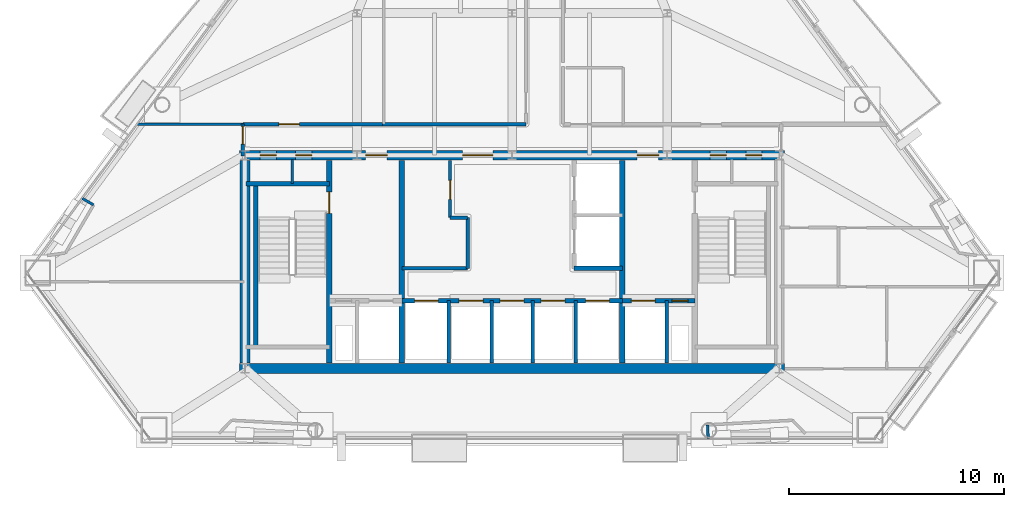
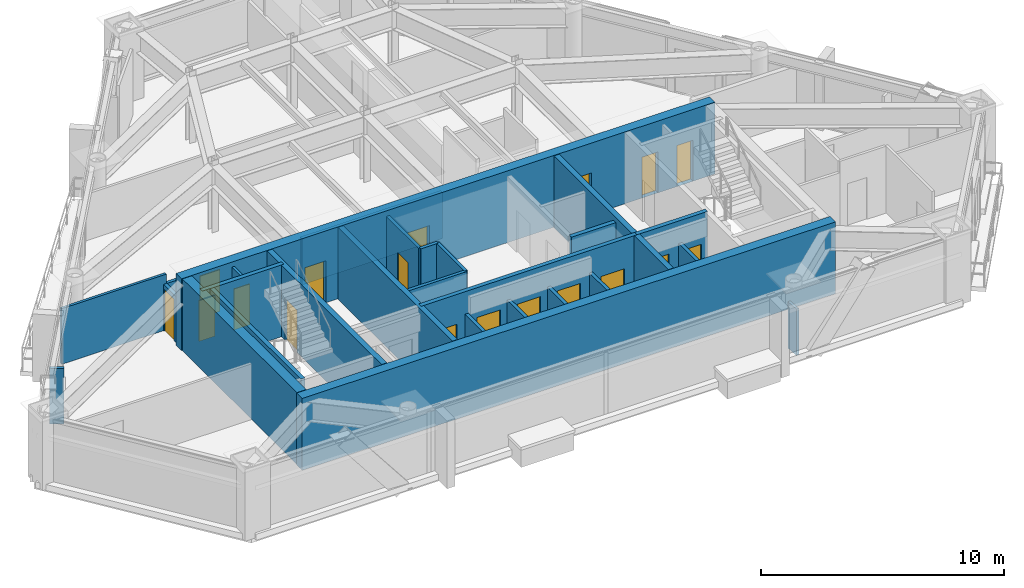
# One storey, part 7 of 11: 27 walls, 18 doors, 18 openings.
"""IFC4 building model written with IfcOpenShell, lengths in metres."""

from ifc_helpers import new_model, si_unit, direction, frame, frame_2d, origin, place, context, subcontext, project, spatial, rectangle, extrude, material, layer, layer_set, type_object, element, fill, save


model = new_model("IFC4")

# Units and contexts
model_context = context("Model", 3, precision=1e-05, world=origin(), true_north=direction((0.0, 1.0)))
body_context = subcontext(model_context, "Body", "Model", "MODEL_VIEW")
ifc_project = project(units=[si_unit("LENGTHUNIT", "METRE"), si_unit("AREAUNIT", "SQUARE_METRE"), si_unit("VOLUMEUNIT", "CUBIC_METRE"), si_unit("PLANEANGLEUNIT", "RADIAN"), si_unit("MASSUNIT", "GRAM", prefix="KILO")], contexts=[model_context])

# Site, building, storey
site_placement = place(None, origin())
site = spatial("IfcSite", under=ifc_project, at=site_placement, CompositionType="ELEMENT")
building_placement = place(site_placement, origin())
building = spatial("IfcBuilding", under=site, at=building_placement, Name="Talgorran Terracotta Tower", CompositionType="ELEMENT")
storey_placement = place(building_placement, frame((0.0, 0.0, 125.699951171875)))
storey = spatial("IfcBuildingStorey", under=building, at=storey_placement, Name="L32", CompositionType="ELEMENT", Elevation=125.699951171875)

# Walls
ifc_material_1 = material(Name="Concrete C50/60", Category="concrete")
ifc_layer_1 = layer(ifc_material_1, 0.199951171875, Name="WT_CORE_200")
ifc_layer_set_1 = layer_set([ifc_layer_1], Name="Concrete C50/60")
wall_type_1 = type_object("IfcWallType", Name="WT_CORE_200", PredefinedType="SOLIDWALL", material=ifc_layer_set_1)
wall_1_placement = place(storey_placement, frame((-12.35009765625, -5.52001953125, 0.0), z_axis=(0.0, 0.0, 1.0), x_axis=(1.0, 0.0, 0.0)))
element("IfcWall", 1, at=wall_1_placement, inside=storey, type_object=wall_type_1, Name="WL-L32-CW-ST1-N", PredefinedType="SOLIDWALL", context=body_context, shape_type="SweptSolid", body=[
    extrude(rectangle(XDim=3.8701171875, YDim=0.199951171875, at=frame_2d((1.93505859375, 0.0))), origin(), (0.0, 0.0, 1.0), 3.60009765625),
])
wall_2_placement = place(storey_placement, frame((-11.89990234375, -13.10009765625, 0.0), z_axis=(0.0, 0.0, 1.0), x_axis=(0.0, 1.0, 0.0)))
element("IfcWall", 2, at=wall_2_placement, inside=storey, type_object=wall_type_1, Name="WL-L32-CW-ST1-W", PredefinedType="SOLIDWALL", context=body_context, shape_type="SweptSolid", body=[
    extrude(rectangle(XDim=7.580078125, YDim=0.199951171875, at=frame_2d((3.7900390625, 0.0))), origin(), (0.0, 0.0, 1.0), 3.60009765625),
])

# Wall, openings, doors
wall_3_placement = place(storey_placement, frame((-5.1201171875, -10.949951171875, 0.0), z_axis=(0.0, 0.0, 1.0), x_axis=(1.0, 0.0, 0.0)))
wall_3 = element("IfcWall", 3, at=wall_3_placement, inside=storey, type_object=wall_type_1, Name="WL-L32-CW-H-SBC", PredefinedType="SOLIDWALL", context=body_context, shape_type="SweptSolid", body=[
    extrude(rectangle(XDim=10.240234375, YDim=0.199951171875, at=frame_2d((5.1201171875, 0.0))), origin(), (0.0, 0.0, 1.0), 3.60009765625),
])
opening_1_placement = place(wall_3_placement, frame((0.60009765625, 0.0, 0.0)))
opening_1 = element("IfcOpeningElement", 4, at=opening_1_placement, cuts=wall_3, Name="Opening LD-OB1", PredefinedType="OPENING", context=body_context, shape_type="SweptSolid", body=[
    extrude(rectangle(XDim=1.10609765625, YDim=2.10409765625, at=frame_2d((0.550048828125, 1.052001953125))), frame((0.0, 0.10986328125, 0.0), z_axis=(0.0, -1.0, 0.0), x_axis=(1.0, 0.0, 0.0)), (0.0, 0.0, 1.0), 0.219970703125),
])
opening_2_placement = place(wall_3_placement, frame((2.669921875, 0.0, 0.0)))
opening_2 = element("IfcOpeningElement", 5, at=opening_2_placement, cuts=wall_3, Name="Opening LD-PLH1", PredefinedType="OPENING", context=body_context, shape_type="SweptSolid", body=[
    extrude(rectangle(XDim=1.10609765625, YDim=2.10409765625, at=frame_2d((0.550048828125, 1.052001953125))), frame((0.0, 0.10986328125, 0.0), z_axis=(0.0, -1.0, 0.0), x_axis=(1.0, 0.0, 0.0)), (0.0, 0.0, 1.0), 0.219970703125),
])
opening_3_placement = place(wall_3_placement, frame((4.570068359375, 0.0, 0.0)))
opening_3 = element("IfcOpeningElement", 6, at=opening_3_placement, cuts=wall_3, Name="Opening LD-PLH2", PredefinedType="OPENING", context=body_context, shape_type="SweptSolid", body=[
    extrude(rectangle(XDim=1.10609765625, YDim=2.10409765625, at=frame_2d((0.550048828125, 1.052001953125))), frame((0.0, 0.10986328125, 0.0), z_axis=(0.0, -1.0, 0.0), x_axis=(1.0, 0.0, 0.0)), (0.0, 0.0, 1.0), 0.219970703125),
])
opening_4_placement = place(wall_3_placement, frame((6.469970703125, 0.0, 0.0)))
opening_4 = element("IfcOpeningElement", 7, at=opening_4_placement, cuts=wall_3, Name="Opening LD-PLH3", PredefinedType="OPENING", context=body_context, shape_type="SweptSolid", body=[
    extrude(rectangle(XDim=1.10609765625, YDim=2.10409765625, at=frame_2d((0.550048828125, 1.052001953125))), frame((0.0, 0.10986328125, 0.0), z_axis=(0.0, -1.0, 0.0), x_axis=(1.0, 0.0, 0.0)), (0.0, 0.0, 1.0), 0.219970703125),
])
opening_5_placement = place(wall_3_placement, frame((8.5400390625, 0.0, 0.0)))
opening_5 = element("IfcOpeningElement", 8, at=opening_5_placement, cuts=wall_3, Name="Opening LD-SVL1", PredefinedType="OPENING", context=body_context, shape_type="SweptSolid", body=[
    extrude(rectangle(XDim=1.10609765625, YDim=2.10409765625, at=frame_2d((0.550048828125, 1.052001953125))), frame((0.0, 0.10986328125, 0.0), z_axis=(0.0, -1.0, 0.0), x_axis=(1.0, 0.0, 0.0)), (0.0, 0.0, 1.0), 0.219970703125),
])
ifc_material_2 = material(Name="Brushed Stainless Steel Grade 304", Category="steel")
door_type_1 = type_object("IfcDoorType", Name="DT_LIFT_LD1100", OperationType="DOUBLE_DOOR_SLIDING", PredefinedType="DOOR", material=ifc_material_2)
door_1_placement = place(opening_1_placement, origin())
door_1 = element("IfcDoor", 9, at=door_1_placement, inside=storey, type_object=door_type_1, Name="L32 Lift Landing Door LD-OB1", OperationType="DOUBLE_DOOR_SLIDING", OverallHeight=2.10009765625, OverallWidth=1.10009765625, PredefinedType="DOOR", context=body_context, shape_type="SweptSolid", body=[
    extrude(rectangle(XDim=1.10009765625, YDim=2.10009765625, at=frame_2d((0.550048828125, 1.050048828125))), frame((0.0, 0.02490234375, 0.0), z_axis=(0.0, -1.0, 0.0), x_axis=(1.0, 0.0, 0.0)), (0.0, 0.0, 1.0), 0.050048828125),
])
fill(opening_1, door_1)
door_2_placement = place(opening_2_placement, origin())
door_2 = element("IfcDoor", 10, at=door_2_placement, inside=storey, type_object=door_type_1, Name="L32 Lift Landing Door LD-PLH1", OperationType="DOUBLE_DOOR_SLIDING", OverallHeight=2.10009765625, OverallWidth=1.10009765625, PredefinedType="DOOR", context=body_context, shape_type="SweptSolid", body=[
    extrude(rectangle(XDim=1.10009765625, YDim=2.10009765625, at=frame_2d((0.550048828125, 1.050048828125))), frame((0.0, 0.02490234375, 0.0), z_axis=(0.0, -1.0, 0.0), x_axis=(1.0, 0.0, 0.0)), (0.0, 0.0, 1.0), 0.050048828125),
])
fill(opening_2, door_2)
door_3_placement = place(opening_3_placement, origin())
door_3 = element("IfcDoor", 11, at=door_3_placement, inside=storey, type_object=door_type_1, Name="L32 Lift Landing Door LD-PLH2", OperationType="DOUBLE_DOOR_SLIDING", OverallHeight=2.10009765625, OverallWidth=1.10009765625, PredefinedType="DOOR", context=body_context, shape_type="SweptSolid", body=[
    extrude(rectangle(XDim=1.10009765625, YDim=2.10009765625, at=frame_2d((0.550048828125, 1.050048828125))), frame((0.0, 0.02490234375, 0.0), z_axis=(0.0, -1.0, 0.0), x_axis=(1.0, 0.0, 0.0)), (0.0, 0.0, 1.0), 0.050048828125),
])
fill(opening_3, door_3)
door_4_placement = place(opening_4_placement, origin())
door_4 = element("IfcDoor", 12, at=door_4_placement, inside=storey, type_object=door_type_1, Name="L32 Lift Landing Door LD-PLH3", OperationType="DOUBLE_DOOR_SLIDING", OverallHeight=2.10009765625, OverallWidth=1.10009765625, PredefinedType="DOOR", context=body_context, shape_type="SweptSolid", body=[
    extrude(rectangle(XDim=1.10009765625, YDim=2.10009765625, at=frame_2d((0.550048828125, 1.050048828125))), frame((0.0, 0.02490234375, 0.0), z_axis=(0.0, -1.0, 0.0), x_axis=(1.0, 0.0, 0.0)), (0.0, 0.0, 1.0), 0.050048828125),
])
fill(opening_4, door_4)
door_5_placement = place(opening_5_placement, origin())
door_5 = element("IfcDoor", 13, at=door_5_placement, inside=storey, type_object=door_type_1, Name="L32 Lift Landing Door LD-SVL1", OperationType="DOUBLE_DOOR_SLIDING", OverallHeight=2.10009765625, OverallWidth=1.10009765625, PredefinedType="DOOR", context=body_context, shape_type="SweptSolid", body=[
    extrude(rectangle(XDim=1.10009765625, YDim=2.10009765625, at=frame_2d((0.550048828125, 1.050048828125))), frame((0.0, 0.02490234375, 0.0), z_axis=(0.0, -1.0, 0.0), x_axis=(1.0, 0.0, 0.0)), (0.0, 0.0, 1.0), 0.050048828125),
])
fill(opening_5, door_5)

wall_4_placement = place(storey_placement, frame((5.1201171875, -10.949951171875, 0.0), z_axis=(0.0, 0.0, 1.0), x_axis=(1.0, 0.0, 0.0)))
wall_4 = element("IfcWall", 14, at=wall_4_placement, inside=storey, type_object=wall_type_1, Name="WL-L32-CW-H-SBE", PredefinedType="SOLIDWALL", context=body_context, shape_type="SweptSolid", body=[
    extrude(rectangle(XDim=3.35986328125, YDim=0.199951171875, at=frame_2d((1.679931640625, 0.0))), origin(), (0.0, 0.0, 1.0), 3.60009765625),
])
opening_6_placement = place(wall_4_placement, frame((0.419921875, 0.0, 0.0)))
opening_6 = element("IfcOpeningElement", 15, at=opening_6_placement, cuts=wall_4, Name="Opening LD-FFL2", PredefinedType="OPENING", context=body_context, shape_type="SweptSolid", body=[
    extrude(rectangle(XDim=1.10609765625, YDim=2.10409765625, at=frame_2d((0.550048828125, 1.052001953125))), frame((0.0, 0.10986328125, 0.0), z_axis=(0.0, -1.0, 0.0), x_axis=(1.0, 0.0, 0.0)), (0.0, 0.0, 1.0), 0.219970703125),
])
opening_7_placement = place(wall_4_placement, frame((2.300048828125, 0.0, 0.0)))
opening_7 = element("IfcOpeningElement", 16, at=opening_7_placement, cuts=wall_4, Name="Opening DR-RSE", PredefinedType="OPENING", context=body_context, shape_type="SweptSolid", body=[
    extrude(rectangle(XDim=0.756, YDim=2.054048828125, at=frame_2d((0.375, 1.027099609375))), frame((0.0, 0.10986328125, 0.0), z_axis=(0.0, -1.0, 0.0), x_axis=(1.0, 0.0, 0.0)), (0.0, 0.0, 1.0), 0.219970703125),
])
door_6_placement = place(opening_6_placement, origin())
door_6 = element("IfcDoor", 17, at=door_6_placement, inside=storey, type_object=door_type_1, Name="L32 Lift Landing Door LD-FFL2", OperationType="DOUBLE_DOOR_SLIDING", OverallHeight=2.10009765625, OverallWidth=1.10009765625, PredefinedType="DOOR", context=body_context, shape_type="SweptSolid", body=[
    extrude(rectangle(XDim=1.10009765625, YDim=2.10009765625, at=frame_2d((0.550048828125, 1.050048828125))), frame((0.0, 0.02490234375, 0.0), z_axis=(0.0, -1.0, 0.0), x_axis=(1.0, 0.0, 0.0)), (0.0, 0.0, 1.0), 0.050048828125),
])
fill(opening_6, door_6)
ifc_material_3 = material(Name="Fire-Rated Pressed Steel", Category="steel")
door_type_2 = type_object("IfcDoorType", Name="DT_RISER_750", OperationType="NOTDEFINED", PredefinedType="DOOR", material=ifc_material_3)
door_7_placement = place(opening_7_placement, origin())
door_7 = element("IfcDoor", 18, at=door_7_placement, inside=storey, type_object=door_type_2, Name="DR-RSE", OperationType="SINGLE_SWING_RIGHT", OverallHeight=2.050048828125, OverallWidth=0.75, PredefinedType="DOOR", context=body_context, shape_type="SweptSolid", body=[
    extrude(rectangle(XDim=0.75, YDim=2.050048828125, at=frame_2d((0.375, 1.02490234375))), frame((0.0, 0.02490234375, 0.0), z_axis=(0.0, -1.0, 0.0), x_axis=(1.0, 0.0, 0.0)), (0.0, 0.0, 1.0), 0.050048828125),
])
fill(opening_7, door_7)

# Wall
wall_5_placement = place(storey_placement, frame((2.8798828125, -9.449951171875, 0.0), z_axis=(0.0, 0.0, 1.0), x_axis=(1.0, 0.0, 0.0)))
element("IfcWall", 19, at=wall_5_placement, inside=storey, type_object=wall_type_1, Name="WL-L32-CW-H-E4", PredefinedType="SOLIDWALL", context=body_context, shape_type="SweptSolid", body=[
    extrude(rectangle(XDim=2.240234375, YDim=0.199951171875, at=frame_2d((1.1201171875, 0.0))), origin(), (0.0, 0.0, 1.0), 3.35009765625),
])

# Wall, opening, door
ifc_layer_2 = layer(ifc_material_1, 0.25, Name="WT_CORE_250")
ifc_layer_set_2 = layer_set([ifc_layer_2], Name="Concrete C50/60")
wall_type_2 = type_object("IfcWallType", Name="WT_CORE_250", PredefinedType="SHEAR", material=ifc_layer_set_2)
wall_6_placement = place(storey_placement, frame((-8.47998046875, -13.85009765625, 0.0), z_axis=(0.0, 0.0, 1.0), x_axis=(0.0, 1.0, 0.0)))
wall_6 = element("IfcWall", 20, at=wall_6_placement, inside=storey, type_object=wall_type_2, Name="WL-L32-CW-V-W1", PredefinedType="SHEAR", context=body_context, shape_type="SweptSolid", body=[
    extrude(rectangle(XDim=9.400146484375, YDim=0.25, at=frame_2d((4.7001953125, 0.0))), origin(), (0.0, 0.0, 1.0), 3.60009765625),
])
opening_8_placement = place(wall_6_placement, frame((6.949951171875, 0.0, 0.0)))
opening_8 = element("IfcOpeningElement", 21, at=opening_8_placement, cuts=wall_6, Name="Opening DR-ST01", PredefinedType="OPENING", context=body_context, shape_type="SweptSolid", body=[
    extrude(rectangle(XDim=1.006, YDim=2.10409765625, at=frame_2d((0.5, 1.052001953125))), frame((0.0, 0.135009765625, 0.0), z_axis=(0.0, -1.0, 0.0), x_axis=(1.0, 0.0, 0.0)), (0.0, 0.0, 1.0), 0.27001953125),
])
door_type_3 = type_object("IfcDoorType", Name="DT_FIRE_1000", OperationType="NOTDEFINED", PredefinedType="DOOR", material=ifc_material_3)
door_8_placement = place(opening_8_placement, origin())
door_8 = element("IfcDoor", 22, at=door_8_placement, inside=storey, type_object=door_type_3, Name="DR-ST01", OperationType="SINGLE_SWING_LEFT", OverallHeight=2.10009765625, OverallWidth=1.0, PredefinedType="DOOR", context=body_context, shape_type="SweptSolid", body=[
    extrude(rectangle(XDim=1.0, YDim=2.10009765625, at=frame_2d((0.5, 1.050048828125))), frame((0.0, 0.02490234375, 0.0), z_axis=(0.0, -1.0, 0.0), x_axis=(1.0, 0.0, 0.0)), (0.0, 0.0, 1.0), 0.050048828125),
])
fill(opening_8, door_8)

# Walls
for number, where, z_axis, x_axis, name in (
    (23, (-5.1201171875, -13.85009765625, 0.0), (0.0, 0.0, 1.0), (0.0, 1.0, 0.0), "WL-L32-CW-V-W2"),
    (24, (5.1201171875, -13.85009765625, 0.0), (0.0, 0.0, 1.0), (0.0, 1.0, 0.0), "WL-L32-CW-V-E2"),
):
    element("IfcWall", number, at=place(storey_placement, frame(where, z_axis=z_axis, x_axis=x_axis)), inside=storey, type_object=wall_type_2, Name=name, PredefinedType="SHEAR", context=body_context, shape_type="SweptSolid", body=[
        extrude(rectangle(XDim=9.400146484375, YDim=0.25, at=frame_2d((4.7001953125, 0.0))), origin(), (0.0, 0.0, 1.0), 3.60009765625),
    ])
ifc_material_4 = material(Name="Concrete C65/80", Category="concrete")
ifc_layer_3 = layer(ifc_material_4, 0.449951171875, Name="WT_CORE_EXT")
ifc_layer_set_3 = layer_set([ifc_layer_3], Name="Concrete C65/80")
wall_type_3 = type_object("IfcWallType", Name="WT_CORE_EXT", PredefinedType="SHEAR", material=ifc_layer_set_3)
wall_7_placement = place(storey_placement, frame((-12.64990234375, -14.10009765625, 0.0), z_axis=(0.0, 0.0, 1.0), x_axis=(1.0, 0.0, 0.0)))
element("IfcWall", 25, at=wall_7_placement, inside=storey, type_object=wall_type_3, Name="WL-L32-CW-OUT-S", PredefinedType="SHEAR", context=body_context, shape_type="SweptSolid", body=[
    extrude(rectangle(XDim=25.2998046875, YDim=0.449951171875, at=frame_2d((12.64990234375, 0.0))), origin(), (0.0, 0.0, 1.0), 3.60009765625),
])

# Wall, openings, doors
wall_8_placement = place(storey_placement, frame((-12.64990234375, -4.199951171875, 0.0), z_axis=(0.0, 0.0, 1.0), x_axis=(1.0, 0.0, 0.0)))
wall_8 = element("IfcWall", 26, at=wall_8_placement, inside=storey, type_object=wall_type_3, Name="WL-L32-CW-OUT-N", PredefinedType="SHEAR", context=body_context, shape_type="SweptSolid", body=[
    extrude(rectangle(XDim=25.2998046875, YDim=0.449951171875, at=frame_2d((12.64990234375, 0.0))), origin(), (0.0, 0.0, 1.0), 3.60009765625),
])
opening_9_placement = place(wall_8_placement, frame((0.949951171875, 0.0, 0.0)))
opening_9 = element("IfcOpeningElement", 27, at=opening_9_placement, cuts=wall_8, Name="Opening DR-CSN1", PredefinedType="OPENING", context=body_context, shape_type="SweptSolid", body=[
    extrude(rectangle(XDim=0.756, YDim=2.054048828125, at=frame_2d((0.375, 1.027099609375))), frame((0.0, 0.23486328125, 0.0), z_axis=(0.0, -1.0, 0.0), x_axis=(1.0, 0.0, 0.0)), (0.0, 0.0, 1.0), 0.469970703125),
])
opening_10_placement = place(wall_8_placement, frame((2.60009765625, 0.0, 0.0)))
opening_10 = element("IfcOpeningElement", 28, at=opening_10_placement, cuts=wall_8, Name="Opening DR-CSN2", PredefinedType="OPENING", context=body_context, shape_type="SweptSolid", body=[
    extrude(rectangle(XDim=0.756, YDim=2.054048828125, at=frame_2d((0.375, 1.027099609375))), frame((0.0, 0.23486328125, 0.0), z_axis=(0.0, -1.0, 0.0), x_axis=(1.0, 0.0, 0.0)), (0.0, 0.0, 1.0), 0.469970703125),
])
opening_11_placement = place(wall_8_placement, frame((21.85009765625, 0.0, 0.0)))
opening_11 = element("IfcOpeningElement", 29, at=opening_11_placement, cuts=wall_8, Name="Opening DR-CSN3", PredefinedType="OPENING", context=body_context, shape_type="SweptSolid", body=[
    extrude(rectangle(XDim=0.756, YDim=2.054048828125, at=frame_2d((0.375, 1.027099609375))), frame((0.0, 0.23486328125, 0.0), z_axis=(0.0, -1.0, 0.0), x_axis=(1.0, 0.0, 0.0)), (0.0, 0.0, 1.0), 0.469970703125),
])
opening_12_placement = place(wall_8_placement, frame((23.5, 0.0, 0.0)))
opening_12 = element("IfcOpeningElement", 30, at=opening_12_placement, cuts=wall_8, Name="Opening DR-CSN4", PredefinedType="OPENING", context=body_context, shape_type="SweptSolid", body=[
    extrude(rectangle(XDim=0.756, YDim=2.054048828125, at=frame_2d((0.375, 1.027099609375))), frame((0.0, 0.23486328125, 0.0), z_axis=(0.0, -1.0, 0.0), x_axis=(1.0, 0.0, 0.0)), (0.0, 0.0, 1.0), 0.469970703125),
])
opening_13_placement = place(wall_8_placement, frame((5.85009765625, 0.0, 0.0)))
opening_13 = element("IfcOpeningElement", 31, at=opening_13_placement, cuts=wall_8, Name="Opening DR-FFLW-N", PredefinedType="OPENING", context=body_context, shape_type="SweptSolid", body=[
    extrude(rectangle(XDim=1.006, YDim=2.10409765625, at=frame_2d((0.5, 1.052001953125))), frame((0.0, 0.23486328125, 0.0), z_axis=(0.0, -1.0, 0.0), x_axis=(1.0, 0.0, 0.0)), (0.0, 0.0, 1.0), 0.469970703125),
])
opening_14_placement = place(wall_8_placement, frame((10.35009765625, 0.0, 0.0)))
opening_14 = element("IfcOpeningElement", 32, at=opening_14_placement, cuts=wall_8, Name="Opening DR-PLL-N", PredefinedType="OPENING", context=body_context, shape_type="SweptSolid", body=[
    extrude(rectangle(XDim=1.40590234375, YDim=2.15390234375, at=frame_2d((0.699951171875, 1.076904296875))), frame((0.0, 0.23486328125, 0.0), z_axis=(0.0, -1.0, 0.0), x_axis=(1.0, 0.0, 0.0)), (0.0, 0.0, 1.0), 0.469970703125),
])
opening_15_placement = place(wall_8_placement, frame((18.449951171875, 0.0, 0.0)))
opening_15 = element("IfcOpeningElement", 33, at=opening_15_placement, cuts=wall_8, Name="Opening DR-FFLE-N", PredefinedType="OPENING", context=body_context, shape_type="SweptSolid", body=[
    extrude(rectangle(XDim=1.006, YDim=2.10409765625, at=frame_2d((0.5, 1.052001953125))), frame((0.0, 0.23486328125, 0.0), z_axis=(0.0, -1.0, 0.0), x_axis=(1.0, 0.0, 0.0)), (0.0, 0.0, 1.0), 0.469970703125),
])
ifc_material_5 = material(Name="Acoustic Glazed Timber", Category="wood")
door_type_4 = type_object("IfcDoorType", Name="DT_DOUBLE_1400", OperationType="DOUBLE_DOOR_SINGLE_SWING", PredefinedType="DOOR", material=ifc_material_5)
door_9_placement = place(opening_14_placement, origin())
door_9 = element("IfcDoor", 34, at=door_9_placement, inside=storey, type_object=door_type_4, Name="DR-PLL-N", OperationType="DOUBLE_DOOR_SINGLE_SWING", OverallHeight=2.14990234375, OverallWidth=1.39990234375, PredefinedType="DOOR", context=body_context, shape_type="SweptSolid", body=[
    extrude(rectangle(XDim=1.39990234375, YDim=2.14990234375, at=frame_2d((0.699951171875, 1.074951171875))), frame((0.0, 0.02490234375, 0.0), z_axis=(0.0, -1.0, 0.0), x_axis=(1.0, 0.0, 0.0)), (0.0, 0.0, 1.0), 0.050048828125),
])
fill(opening_14, door_9)
door_10_placement = place(opening_13_placement, origin())
door_10 = element("IfcDoor", 35, at=door_10_placement, inside=storey, type_object=door_type_3, Name="DR-FFLW-N", OperationType="SINGLE_SWING_LEFT", OverallHeight=2.10009765625, OverallWidth=1.0, PredefinedType="DOOR", context=body_context, shape_type="SweptSolid", body=[
    extrude(rectangle(XDim=1.0, YDim=2.10009765625, at=frame_2d((0.5, 1.050048828125))), frame((0.0, 0.02490234375, 0.0), z_axis=(0.0, -1.0, 0.0), x_axis=(1.0, 0.0, 0.0)), (0.0, 0.0, 1.0), 0.050048828125),
])
fill(opening_13, door_10)
door_11_placement = place(opening_15_placement, origin())
door_11 = element("IfcDoor", 36, at=door_11_placement, inside=storey, type_object=door_type_3, Name="DR-FFLE-N", OperationType="SINGLE_SWING_RIGHT", OverallHeight=2.10009765625, OverallWidth=1.0, PredefinedType="DOOR", context=body_context, shape_type="SweptSolid", body=[
    extrude(rectangle(XDim=1.0, YDim=2.10009765625, at=frame_2d((0.5, 1.050048828125))), frame((0.0, 0.02490234375, 0.0), z_axis=(0.0, -1.0, 0.0), x_axis=(1.0, 0.0, 0.0)), (0.0, 0.0, 1.0), 0.050048828125),
])
fill(opening_15, door_11)
door_12_placement = place(opening_9_placement, origin())
door_12 = element("IfcDoor", 37, at=door_12_placement, inside=storey, type_object=door_type_2, Name="DR-CSN1", OperationType="SINGLE_SWING_LEFT", OverallHeight=2.050048828125, OverallWidth=0.75, PredefinedType="DOOR", context=body_context, shape_type="SweptSolid", body=[
    extrude(rectangle(XDim=0.75, YDim=2.050048828125, at=frame_2d((0.375, 1.02490234375))), frame((0.0, 0.02490234375, 0.0), z_axis=(0.0, -1.0, 0.0), x_axis=(1.0, 0.0, 0.0)), (0.0, 0.0, 1.0), 0.050048828125),
])
fill(opening_9, door_12)
door_13_placement = place(opening_10_placement, origin())
door_13 = element("IfcDoor", 38, at=door_13_placement, inside=storey, type_object=door_type_2, Name="DR-CSN2", OperationType="SINGLE_SWING_RIGHT", OverallHeight=2.050048828125, OverallWidth=0.75, PredefinedType="DOOR", context=body_context, shape_type="SweptSolid", body=[
    extrude(rectangle(XDim=0.75, YDim=2.050048828125, at=frame_2d((0.375, 1.02490234375))), frame((0.0, 0.02490234375, 0.0), z_axis=(0.0, -1.0, 0.0), x_axis=(1.0, 0.0, 0.0)), (0.0, 0.0, 1.0), 0.050048828125),
])
fill(opening_10, door_13)
door_14_placement = place(opening_11_placement, origin())
door_14 = element("IfcDoor", 39, at=door_14_placement, inside=storey, type_object=door_type_2, Name="DR-CSN3", OperationType="SINGLE_SWING_LEFT", OverallHeight=2.050048828125, OverallWidth=0.75, PredefinedType="DOOR", context=body_context, shape_type="SweptSolid", body=[
    extrude(rectangle(XDim=0.75, YDim=2.050048828125, at=frame_2d((0.375, 1.02490234375))), frame((0.0, 0.02490234375, 0.0), z_axis=(0.0, -1.0, 0.0), x_axis=(1.0, 0.0, 0.0)), (0.0, 0.0, 1.0), 0.050048828125),
])
fill(opening_11, door_14)
door_15_placement = place(opening_12_placement, origin())
door_15 = element("IfcDoor", 40, at=door_15_placement, inside=storey, type_object=door_type_2, Name="DR-CSN4", OperationType="SINGLE_SWING_RIGHT", OverallHeight=2.050048828125, OverallWidth=0.75, PredefinedType="DOOR", context=body_context, shape_type="SweptSolid", body=[
    extrude(rectangle(XDim=0.75, YDim=2.050048828125, at=frame_2d((0.375, 1.02490234375))), frame((0.0, 0.02490234375, 0.0), z_axis=(0.0, -1.0, 0.0), x_axis=(1.0, 0.0, 0.0)), (0.0, 0.0, 1.0), 0.050048828125),
])
fill(opening_12, door_15)

# Walls
wall_9_placement = place(storey_placement, frame((-12.39990234375, -13.85009765625, 0.0), z_axis=(0.0, 0.0, 1.0), x_axis=(0.0, 1.0, 0.0)))
element("IfcWall", 41, at=wall_9_placement, inside=storey, type_object=wall_type_3, Name="WL-L32-CW-OUT-W", PredefinedType="SHEAR", context=body_context, shape_type="SweptSolid", body=[
    extrude(rectangle(XDim=9.400146484375, YDim=0.449951171875, at=frame_2d((4.7001953125, 0.0))), origin(), (0.0, 0.0, 1.0), 3.60009765625),
])
ifc_material_6 = material(Name="Fire-Rated Steel Stud Plasterboard", Category="steel")
ifc_layer_4 = layer(ifc_material_6, 0.14990234375, Name="WT_FIRE_150")
ifc_layer_set_4 = layer_set([ifc_layer_4], Name="Fire-Rated Steel Stud Plasterboard")
wall_type_4 = type_object("IfcWallType", Name="WT_FIRE_150", PredefinedType="PARTITIONING", material=ifc_layer_set_4)
wall_10_placement = place(storey_placement, frame((-5.1201171875, -9.449951171875, 0.0), z_axis=(0.0, 0.0, 1.0), x_axis=(1.0, 0.0, 0.0)))
element("IfcWall", 42, at=wall_10_placement, inside=storey, type_object=wall_type_4, Name="WL-L32-CW-H-W4N", PredefinedType="PARTITIONING", context=body_context, shape_type="SweptSolid", body=[
    extrude(rectangle(XDim=3.06005859375, YDim=0.14990234375, at=frame_2d((1.530029296875, 0.0))), origin(), (0.0, 0.0, 1.0), 3.35009765625),
])
wall_11_placement = place(storey_placement, frame((-2.06005859375, -9.449951171875, 0.0), z_axis=(0.0, 0.0, 1.0), x_axis=(0.0, 1.0, 0.0)))
element("IfcWall", 43, at=wall_11_placement, inside=storey, type_object=wall_type_4, Name="WL-L32-CW-V-W3S2", PredefinedType="PARTITIONING", context=body_context, shape_type="SweptSolid", body=[
    extrude(rectangle(XDim=2.349853515625, YDim=0.14990234375, at=frame_2d((1.1748046875, 0.0))), origin(), (0.0, 0.0, 1.0), 3.35009765625),
])
wall_12_placement = place(storey_placement, frame((-2.8798828125, -7.10009765625, 0.0), z_axis=(0.0, 0.0, 1.0), x_axis=(1.0, 0.0, 0.0)))
element("IfcWall", 44, at=wall_12_placement, inside=storey, type_object=wall_type_4, Name="WL-L32-CW-H-W3M2", PredefinedType="PARTITIONING", context=body_context, shape_type="SweptSolid", body=[
    extrude(rectangle(XDim=0.81982421875, YDim=0.14990234375, at=frame_2d((0.409912109375, 0.0))), origin(), (0.0, 0.0, 1.0), 3.35009765625),
])

# Wall, opening, door
wall_13_placement = place(storey_placement, frame((-2.8798828125, -7.10009765625, 0.0), z_axis=(0.0, 0.0, 1.0), x_axis=(0.0, 1.0, 0.0)))
wall_13 = element("IfcWall", 45, at=wall_13_placement, inside=storey, type_object=wall_type_4, Name="WL-L32-CW-V-W3N", PredefinedType="PARTITIONING", context=body_context, shape_type="SweptSolid", body=[
    extrude(rectangle(XDim=2.650146484375, YDim=0.14990234375, at=frame_2d((1.3251953125, 0.0))), origin(), (0.0, 0.0, 1.0), 3.35009765625),
])
opening_16_placement = place(wall_13_placement, frame((0.85009765625, 0.0, 0.0)))
opening_16 = element("IfcOpeningElement", 46, at=opening_16_placement, cuts=wall_13, Name="Opening DR-FRPLL-B", PredefinedType="OPENING", context=body_context, shape_type="SweptSolid", body=[
    extrude(rectangle(XDim=0.8858828125, YDim=2.10409765625, at=frame_2d((0.43994140625, 1.052001953125))), frame((0.0, 0.0849609375, 0.0), z_axis=(0.0, -1.0, 0.0), x_axis=(1.0, 0.0, 0.0)), (0.0, 0.0, 1.0), 0.169921875),
])
ifc_material_7 = material(Name="Solid-Core Painted Timber", Category="wood")
door_type_5 = type_object("IfcDoorType", Name="DT_INT_880", OperationType="NOTDEFINED", PredefinedType="DOOR", material=ifc_material_7)
door_16_placement = place(opening_16_placement, origin())
door_16 = element("IfcDoor", 47, at=door_16_placement, inside=storey, type_object=door_type_5, Name="DR-FRPLL-B", OperationType="SINGLE_SWING_LEFT", OverallHeight=2.10009765625, OverallWidth=0.8798828125, PredefinedType="DOOR", context=body_context, shape_type="SweptSolid", body=[
    extrude(rectangle(XDim=0.8798828125, YDim=2.10009765625, at=frame_2d((0.43994140625, 1.050048828125))), frame((0.0, 0.02490234375, 0.0), z_axis=(0.0, -1.0, 0.0), x_axis=(1.0, 0.0, 0.0)), (0.0, 0.0, 1.0), 0.050048828125),
])
fill(opening_16, door_16)

# Wall
wall_14_placement = place(storey_placement, frame((-6.02001953125, -2.760009765625, 0.0), z_axis=(0.0, 0.0, 1.0), x_axis=(1.0, 0.0, 0.0)))
element("IfcWall", 48, at=wall_14_placement, inside=storey, type_object=wall_type_4, Name="WL-L32-W-L32-R09", PredefinedType="PARTITIONING", context=body_context, shape_type="SweptSolid", body=[
    extrude(rectangle(XDim=6.659912109375, YDim=0.14990234375, at=frame_2d((3.330078125, 0.0))), origin(), (0.0, 0.0, 1.0), 2.324951171875),
])

# Wall, opening, door
wall_15_placement = place(storey_placement, frame((-12.5, -2.760009765625, 0.0), z_axis=(0.0, 0.0, 1.0), x_axis=(1.0, 0.0, 0.0)))
wall_15 = element("IfcWall", 49, at=wall_15_placement, inside=storey, type_object=wall_type_4, Name="WL-L32-W-L32-R08", PredefinedType="PARTITIONING", context=body_context, shape_type="SweptSolid", body=[
    extrude(rectangle(XDim=6.47802734375, YDim=0.14990234375, at=frame_2d((3.239013671875, 0.0))), origin(), (0.0, 0.0, 1.0), 2.324951171875),
])
opening_17_placement = place(wall_15_placement, frame((1.67138671875, 0.0, 0.0)))
opening_17 = element("IfcOpeningElement", 50, at=opening_17_placement, cuts=wall_15, Name="Opening DR-L32-R09", PredefinedType="OPENING", context=body_context, shape_type="SweptSolid", body=[
    extrude(rectangle(XDim=0.955951171875, YDim=2.10409765625, at=frame_2d((0.47509765625, 1.052001953125))), frame((0.0, 0.0849609375, 0.0), z_axis=(0.0, -1.0, 0.0), x_axis=(1.0, 0.0, 0.0)), (0.0, 0.0, 1.0), 0.169921875),
])
ifc_material_8 = material(Name="Fire-Rated Timber Core", Category="wood")
door_type_6 = type_object("IfcDoorType", Name="DT_FIRE_950", OperationType="NOTDEFINED", PredefinedType="DOOR", material=ifc_material_8)
door_17_placement = place(opening_17_placement, origin())
door_17 = element("IfcDoor", 51, at=door_17_placement, inside=storey, type_object=door_type_6, Name="DR-L32-R09", OperationType="SINGLE_SWING_LEFT", OverallHeight=2.10009765625, OverallWidth=0.949951171875, PredefinedType="DOOR", context=body_context, shape_type="SweptSolid", body=[
    extrude(rectangle(XDim=0.949951171875, YDim=2.10009765625, at=frame_2d((0.47509765625, 1.050048828125))), frame((0.0, 0.02490234375, 0.0), z_axis=(0.0, -1.0, 0.0), x_axis=(1.0, 0.0, 0.0)), (0.0, 0.0, 1.0), 0.050048828125),
])
fill(opening_17, door_17)

wall_16_placement = place(storey_placement, frame((-12.5, -4.239990234375, 0.0), z_axis=(0.0, 0.0, 1.0), x_axis=(0.0, 1.0, 0.0)))
wall_16 = element("IfcWall", 52, at=wall_16_placement, inside=storey, type_object=wall_type_4, Name="WL-L32-W-L32-R11", PredefinedType="PARTITIONING", context=body_context, shape_type="SweptSolid", body=[
    extrude(rectangle(XDim=1.47998046875, YDim=0.14990234375, at=frame_2d((0.739990234375, 0.0))), origin(), (0.0, 0.0, 1.0), 2.324951171875),
])
opening_18_placement = place(wall_16_placement, frame((0.56005859375, 0.0, 0.0)))
opening_18 = element("IfcOpeningElement", 53, at=opening_18_placement, cuts=wall_16, Name="Opening DR-L32-R12", PredefinedType="OPENING", context=body_context, shape_type="SweptSolid", body=[
    extrude(rectangle(XDim=0.826068359375, YDim=2.10409765625, at=frame_2d((0.41015625, 1.052001953125))), frame((0.0, 0.0849609375, 0.0), z_axis=(0.0, -1.0, 0.0), x_axis=(1.0, 0.0, 0.0)), (0.0, 0.0, 1.0), 0.169921875),
])
ifc_material_9 = material(Name="Moisture-Resistant Solid Timber", Category="wood")
door_type_7 = type_object("IfcDoorType", Name="DT_INT_820", OperationType="NOTDEFINED", PredefinedType="DOOR", material=ifc_material_9)
door_18_placement = place(opening_18_placement, origin())
door_18 = element("IfcDoor", 54, at=door_18_placement, inside=storey, type_object=door_type_7, Name="DR-L32-R12", OperationType="SINGLE_SWING_RIGHT", OverallHeight=2.10009765625, OverallWidth=0.820068359375, PredefinedType="DOOR", context=body_context, shape_type="SweptSolid", body=[
    extrude(rectangle(XDim=0.820068359375, YDim=2.10009765625, at=frame_2d((0.41015625, 1.050048828125))), frame((0.0, 0.02490234375, 0.0), z_axis=(0.0, -1.0, 0.0), x_axis=(1.0, 0.0, 0.0)), (0.0, 0.0, 1.0), 0.050048828125),
])
fill(opening_18, door_18)

# Walls
ifc_material_10 = material(Name="Insulated Steel Stud Plasterboard", Category="steel")
ifc_layer_5 = layer(ifc_material_10, 0.1201171875, Name="WT_PART_120")
ifc_layer_set_5 = layer_set([ifc_layer_5], Name="Insulated Steel Stud Plasterboard")
wall_type_5 = type_object("IfcWallType", Name="WT_PART_120", PredefinedType="PARTITIONING", material=ifc_layer_set_5)
wall_17_placement = place(storey_placement, frame((-10.199951171875, -5.52001953125, 0.0), z_axis=(0.0, 0.0, 1.0), x_axis=(0.0, 1.0, 0.0)))
element("IfcWall", 55, at=wall_17_placement, inside=storey, type_object=wall_type_5, Name="WL-L32-CW-CSW-DIV", PredefinedType="PARTITIONING", context=body_context, shape_type="SweptSolid", body=[
    extrude(rectangle(XDim=1.1201171875, YDim=0.1201171875, at=frame_2d((0.56005859375, 0.0))), origin(), (0.0, 0.0, 1.0), 3.35009765625),
])
wall_18_placement = place(storey_placement, frame((-17.411376953125, -2.760009765625, 0.0), z_axis=(0.0, 0.0, 1.0), x_axis=(1.0, 0.0, 0.0)))
element("IfcWall", 56, at=wall_18_placement, inside=storey, type_object=wall_type_5, Name="WL-L32-W-L32-R29", PredefinedType="PARTITIONING", context=body_context, shape_type="SweptSolid", body=[
    extrude(rectangle(XDim=4.971435546875, YDim=0.1201171875, at=frame_2d((2.48583984375, 0.0))), origin(), (0.0, 0.0, 1.0), 2.7919921875),
])
wall_19_placement = place(storey_placement, frame((9.1044921875, -17.353271484375, 0.0), z_axis=(0.0, 0.0, 1.0), x_axis=(-0.053788890406, 0.99855232976, 0.0)))
element("IfcWall", 57, at=wall_19_placement, inside=storey, type_object=wall_type_5, Name="WL-L32-BW-L32-06", PredefinedType="PARTITIONING", context=body_context, shape_type="SweptSolid", body=[
    extrude(rectangle(XDim=0.635498046875, YDim=0.1201171875, at=frame_2d((0.31787109375, 0.0))), origin(), (0.0, 0.0, 1.0), 2.324951171875),
])
wall_20_placement = place(storey_placement, frame((-19.947265625, -6.20556640625, 0.0), z_axis=(0.0, 0.0, 1.0), x_axis=(0.86267356237, -0.505761134121, 0.0)))
element("IfcWall", 58, at=wall_20_placement, inside=storey, type_object=wall_type_5, Name="WL-L32-BW-L32-08", PredefinedType="PARTITIONING", context=body_context, shape_type="SweptSolid", body=[
    extrude(rectangle(XDim=0.60205078125, YDim=0.1201171875, at=frame_2d((0.301025390625, 0.0))), origin(), (0.0, 0.0, 1.0), 2.7919921875),
])
ifc_material_11 = material(Name="Fire-Rated Shaftwall")
ifc_layer_6 = layer(ifc_material_11, 0.159912109375, Name="WT_PART_150")
ifc_layer_set_6 = layer_set([ifc_layer_6], Name="Fire-Rated Shaftwall")
wall_type_6 = type_object("IfcWallType", Name="WT_PART_150", PredefinedType="PARTITIONING", material=ifc_layer_set_6)
for number, where, z_axis, x_axis, name in (
    (59, (7.179931640625, -13.85009765625, 0.0), (0.0, 0.0, 1.0), (0.0, 1.0, 0.0), "WL-L32-CW-RSE"),
    (60, (-2.949951171875, -13.85009765625, 0.0), (0.0, 0.0, 1.0), (0.0, 1.0, 0.0), "WL-L32-CW-OB-E"),
    (61, (2.949951171875, -13.85009765625, 0.0), (0.0, 0.0, 1.0), (0.0, 1.0, 0.0), "WL-L32-CW-SV-W"),
    (62, (-0.949951171875, -13.85009765625, 0.0), (0.0, 0.0, 1.0), (0.0, 1.0, 0.0), "WL-L32-CW-PLH-D1"),
    (63, (0.949951171875, -13.85009765625, 0.0), (0.0, 0.0, 1.0), (0.0, 1.0, 0.0), "WL-L32-CW-PLH-D2"),
):
    element("IfcWall", number, at=place(storey_placement, frame(where, z_axis=z_axis, x_axis=x_axis)), inside=storey, type_object=wall_type_6, Name=name, PredefinedType="PARTITIONING", context=body_context, shape_type="SweptSolid", body=[
        extrude(rectangle(XDim=2.900146484375, YDim=0.159912109375, at=frame_2d((1.4501953125, 0.0))), origin(), (0.0, 0.0, 1.0), 2.47509765625),
    ])

save(model, "model.ifc")
